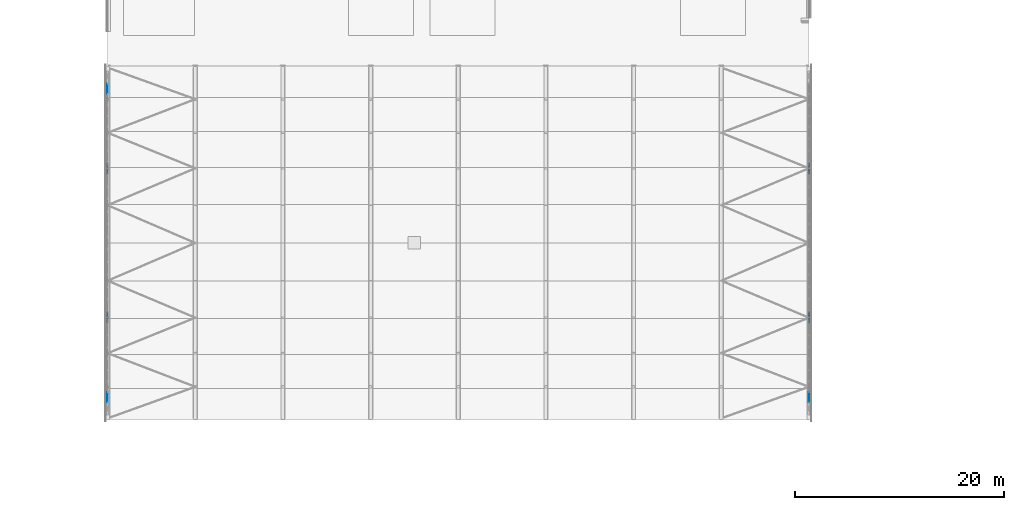
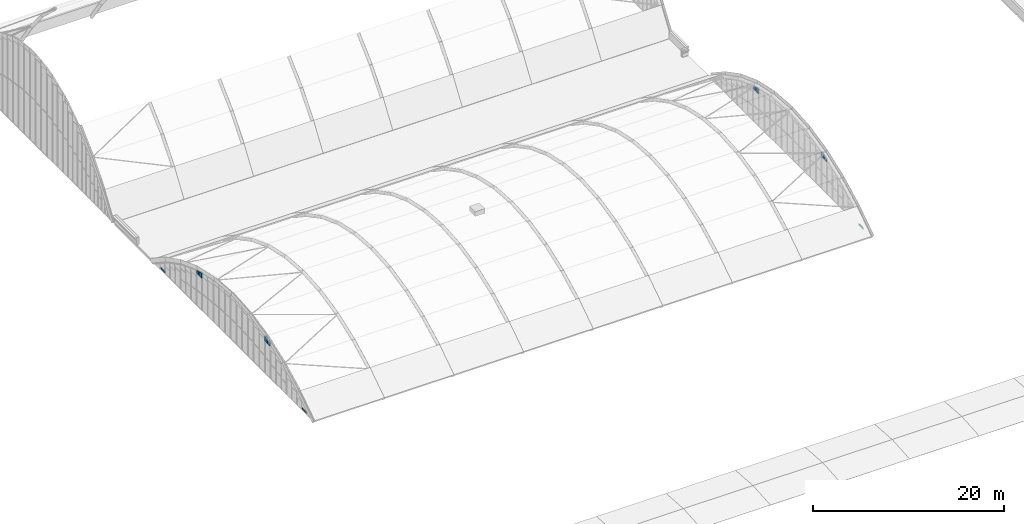
# One storey, part 62 of 77: 11 plates, 2 elements without a shape of their own.
"""IFC4 building model written with IfcOpenShell, lengths in metres."""

import ifcopenshell
import ifcopenshell.guid

model = None  # the IFC model being written
_history = None  # IfcOwnerHistory: only IFC2X3 demands one
_inside = {}  # id of a spatial element -> (the spatial element, [elements in it])
_under = {}  # id of a project, library or spatial element -> (it, [spatial elements below it])
_declared = {}  # id of a project -> (the project, [libraries it declares])
_typed = {}  # id of a type object -> (the type object, [elements of that type])
_made_of = {}  # id of a material, layer set ... -> (it, [elements and type objects made of it])


def new_model(schema):
    """Start an empty IFC model of exactly this schema.

    Asked for "IFC4X3", IfcOpenShell would pick the latest addendum, in which some entities
    have other attributes; the version numbers below select the first issue.
    IFC2X3 requires an IfcOwnerHistory on every rooted entity: one is made here for all.
    """
    global model, _history
    if schema == "IFC4X3":
        model = ifcopenshell.file(schema_version=(4, 3, 0, 0))
    else:
        model = ifcopenshell.file(schema=schema)
    _inside.clear()
    _under.clear()
    _declared.clear()
    _typed.clear()
    _made_of.clear()
    _history = None
    if model.schema == "IFC2X3":
        org = make("IfcOrganization", Name="unknown")
        user = make(
            "IfcPersonAndOrganization",
            ThePerson=make("IfcPerson", FamilyName="unknown"),
            TheOrganization=org,
        )
        app = make(
            "IfcApplication",
            ApplicationDeveloper=org,
            Version="unknown",
            ApplicationFullName="unknown",
            ApplicationIdentifier="unknown",
        )
        _history = make(
            "IfcOwnerHistory",
            OwningUser=user,
            OwningApplication=app,
            ChangeAction="ADDED",
            CreationDate=0,
        )
    return model


def make(cls, **values):
    """One entity of the class cls with the attributes given. An attribute that is None is left unset."""
    return model.create_entity(
        cls, **{name: value for name, value in values.items() if value is not None}
    )


def rooted(cls, **values):
    """An entity with a GlobalId (a new one), such as an element, a storey or a relation."""
    return make(cls, GlobalId=ifcopenshell.guid.new(), OwnerHistory=_history, **values)


def si_unit(unit_type, name, prefix=None):
    """IfcSIUnit, for example si_unit("LENGTHUNIT", "METRE", prefix="MILLI")."""
    return make("IfcSIUnit", UnitType=unit_type, Prefix=prefix, Name=name)


def assignment(units):
    """IfcUnitAssignment: the units of a project."""
    return None if units is None else make("IfcUnitAssignment", Units=units)


def point(xyz):
    """IfcCartesianPoint."""
    return None if xyz is None else make("IfcCartesianPoint", Coordinates=xyz)


def direction(xyz):
    """IfcDirection."""
    return None if xyz is None else make("IfcDirection", DirectionRatios=xyz)


def frame(location, z_axis=None, x_axis=None):
    """IfcAxis2Placement3D, a coordinate frame: its origin and axes. An axis left out is left unset."""
    return make(
        "IfcAxis2Placement3D",
        Location=point(location),
        Axis=direction(z_axis),
        RefDirection=direction(x_axis),
    )


def frame_2d(location, x_axis=None):
    """IfcAxis2Placement2D, a coordinate frame in the plane: its origin and x axis."""
    return make(
        "IfcAxis2Placement2D", Location=point(location), RefDirection=direction(x_axis)
    )


def origin():
    """The frame at (0, 0, 0) with its axes left unset."""
    return frame((0.0, 0.0, 0.0))


def origin_2d():
    """The frame at (0, 0) in the plane with its x axis left unset."""
    return frame_2d((0.0, 0.0))


def place(relative_to, where):
    """IfcLocalPlacement: puts the frame where relative to a parent placement (None: the world)."""
    return make(
        "IfcLocalPlacement", PlacementRelTo=relative_to, RelativePlacement=where
    )


def context(
    kind, dimensions, precision=None, world=None, true_north=None, identifier=None
):
    """IfcGeometricRepresentationContext, for example the 3D "Model" context."""
    return make(
        "IfcGeometricRepresentationContext",
        ContextIdentifier=identifier,
        ContextType=kind,
        CoordinateSpaceDimension=dimensions,
        Precision=precision,
        WorldCoordinateSystem=world,
        TrueNorth=true_north,
    )


def subcontext(parent, identifier, kind, view, scale=None):
    """IfcGeometricRepresentationSubContext, for example "Body" below "Model"."""
    return make(
        "IfcGeometricRepresentationSubContext",
        ContextIdentifier=identifier,
        ContextType=kind,
        ParentContext=parent,
        TargetScale=scale,
        TargetView=view,
    )


def project(units=None, contexts=None):
    """IfcProject with its units and contexts."""
    return rooted(
        "IfcProject",
        Name="project",
        RepresentationContexts=contexts,
        UnitsInContext=assignment(units),
    )


def spatial(cls, under=None, at=None, **own):
    """A site, building, storey or space (cls), placed at a placement, below another one or the project."""
    s = rooted(cls, ObjectPlacement=at, **own)
    if under is not None:
        _under.setdefault(under.id(), (under, []))[1].append(s)
    return s


def polyline(points):
    """IfcPolyline through the points."""
    return make("IfcPolyline", Points=[point(p) for p in points])


def profile(cls, at=None, kind="AREA", **sizes):
    """A parametric profile (cls). Its sizes go by their IFC names, for example OverallWidth=200.0."""
    return make(cls, ProfileType=kind, Position=at, **sizes)


def rectangle(**sizes):
    """IfcRectangleProfileDef."""
    return profile("IfcRectangleProfileDef", **sizes)


def outline(outer, holes=None, kind="AREA"):
    """IfcArbitraryClosedProfileDef: a profile drawn as a closed curve; with holes, ...WithVoids."""
    if holes is None:
        return make("IfcArbitraryClosedProfileDef", ProfileType=kind, OuterCurve=outer)
    return make(
        "IfcArbitraryProfileDefWithVoids",
        ProfileType=kind,
        OuterCurve=outer,
        InnerCurves=holes,
    )


def extrude(swept, where, along, depth):
    """IfcExtrudedAreaSolid: the profile swept, set in the frame where, extruded along a direction by depth."""
    return make(
        "IfcExtrudedAreaSolid",
        SweptArea=swept,
        Position=where,
        ExtrudedDirection=direction(along),
        Depth=depth,
    )


def shape(context_of_items, identifier, shape_type, items):
    """IfcShapeRepresentation: the items that make up one representation, for example the "Body"."""
    return make(
        "IfcShapeRepresentation",
        ContextOfItems=context_of_items,
        RepresentationIdentifier=identifier,
        RepresentationType=shape_type,
        Items=items,
    )


def material(Name=None, Category=None):
    """IfcMaterial."""
    return make("IfcMaterial", Name=Name, Category=Category)


def layer(
    of_material, thickness, ventilated=None, Name=None, Category=None, Priority=None
):
    """IfcMaterialLayer: one layer of a wall or slab, of a material (None: an air gap)."""
    return make(
        "IfcMaterialLayer",
        Material=of_material,
        LayerThickness=thickness,
        IsVentilated=ventilated,
        Name=Name,
        Category=Category,
        Priority=Priority,
    )


def layer_set(layers, Name=None):
    """IfcMaterialLayerSet."""
    return make("IfcMaterialLayerSet", MaterialLayers=layers, LayerSetName=Name)


def made_of(thing, what):
    """Note that an element or type object is made of a material, layer set ...; save() writes the relation."""
    if what is not None:
        _made_of.setdefault(what.id(), (what, []))[1].append(thing)
    return thing


def type_object(cls, material=None, **own):
    """A type object (cls), such as IfcWallType, which elements share."""
    return made_of(rooted(cls, **own), material)


def element(
    cls,
    number,
    at=None,
    inside=None,
    cuts=None,
    type_object=None,
    material=None,
    context=None,
    identifier="Body",
    shape_type=None,
    held_by="IfcProductDefinitionShape",
    body=None,
    shapes=None,
    **own,
):
    """One element of the class cls, such as IfcWall. Its Tag is "e" and its number.

    at: its placement. inside: the storey or other place that contains it. cuts: it is an
    opening in that element (IfcRelVoidsElement). A single representation is given by context,
    identifier, shape_type and body (its items); several are given by shapes. held_by: the class
    of the entity that holds the representations. save() writes the other relations.
    """
    e = rooted(cls, Tag="e%d" % number, ObjectPlacement=at, **own)
    if body is not None:
        shapes = [shape(context, identifier, shape_type, body)]
    if shapes is not None:
        e.Representation = make(held_by, Representations=shapes)
    if inside is not None:
        _inside.setdefault(inside.id(), (inside, []))[1].append(e)
    if cuts is not None:
        rooted(
            "IfcRelVoidsElement", RelatingBuildingElement=cuts, RelatedOpeningElement=e
        )
    if type_object is not None:
        _typed.setdefault(type_object.id(), (type_object, []))[1].append(e)
    return made_of(e, material)


def aggregate(whole, parts):
    """IfcRelAggregates: a whole, such as a stair, and the parts it consists of."""
    return rooted("IfcRelAggregates", RelatingObject=whole, RelatedObjects=parts)


def save(model, path):
    """Write the relations noted so far, then the file.

    IfcRelAggregates (storeys below a building ...), IfcRelContainedInSpatialStructure (elements
    in a storey), IfcRelDefinesByType, IfcRelAssociatesMaterial and IfcRelDeclares: one each for
    every whole, place, type object, material and project.
    """
    for whole, parts in _under.values():
        aggregate(whole, parts)
    for where, things in _inside.values():
        rooted(
            "IfcRelContainedInSpatialStructure",
            RelatedElements=things,
            RelatingStructure=where,
        )
    for kind, things in _typed.values():
        rooted("IfcRelDefinesByType", RelatedObjects=things, RelatingType=kind)
    for what, things in _made_of.values():
        rooted("IfcRelAssociatesMaterial", RelatedObjects=things, RelatingMaterial=what)
    for by, libraries in _declared.values():
        rooted("IfcRelDeclares", RelatingContext=by, RelatedDefinitions=libraries)
    model.write(path)


model = new_model("IFC4")

# Units and contexts
model_context = context("Model", 3, precision=1e-05, world=origin(), true_north=direction((0.0, 1.0)))
body_context = subcontext(model_context, "Body", "Model", "MODEL_VIEW")
ifc_project = project(units=[si_unit("LENGTHUNIT", "METRE"), si_unit("AREAUNIT", "SQUARE_METRE"), si_unit("VOLUMEUNIT", "CUBIC_METRE"), si_unit("PLANEANGLEUNIT", "RADIAN"), si_unit("MASSUNIT", "GRAM", prefix="KILO")], contexts=[model_context])

# Site, building, storey
site_placement = place(None, origin())
site = spatial("IfcSite", under=ifc_project, at=site_placement, CompositionType="ELEMENT")
building_placement = place(site_placement, origin())
building = spatial("IfcBuilding", under=site, at=building_placement, Name="Catenary Quay Ferry Terminal", CompositionType="ELEMENT")
storey_placement = place(building_placement, frame((0.0, 0.0, 10.800048828125)))
storey = spatial("IfcBuildingStorey", under=building, at=storey_placement, Name="L02", CompositionType="ELEMENT", Elevation=10.800048828125)

# Curtain wall, plates
ifc_material_1 = material(Name="Aluminium and glass", Category="aluminium")
curtain_wall_type = type_object("IfcCurtainWallType", Name="CWA", PredefinedType="NOTDEFINED", material=ifc_material_1)
curtain_wall_1_placement = place(storey_placement, origin())
curtain_wall_1 = element("IfcCurtainWall", 1, at=curtain_wall_1_placement, inside=storey, type_object=curtain_wall_type, Name="Arch arrivals hall curtain wall CW5", PredefinedType="NOTDEFINED")
ifc_material_2 = material(Name="Glass", Category="glass")
ifc_layer_1 = layer(ifc_material_2, 0.035888671875)
ifc_layer_set_1 = layer_set([ifc_layer_1], Name="PN4")
plate_type_1 = type_object("IfcPlateType", Name="PN4", PredefinedType="CURTAIN_PANEL", material=ifc_layer_set_1)
plate_1_placement = place(storey_placement, frame((25.199951171875, 69.2119140625, 0.099853515625), z_axis=(0.0, 0.0, 1.0), x_axis=(0.0, 1.0, 0.0)))
plate_1 = element("IfcPlate", 2, at=plate_1_placement, type_object=plate_type_1, Name="CW5 panel 1.1", PredefinedType="CURTAIN_PANEL", context=body_context, shape_type="SweptSolid", body=[
    extrude(rectangle(XDim=0.946044921875, YDim=0.035888671875, at=origin_2d()), origin(), (0.0, 0.0, 1.0), 0.24658203125),
])
plate_2_placement = place(storey_placement, frame((25.199951171875, 98.7880859375, 0.099853515625), z_axis=(0.0, 0.0, 1.0), x_axis=(0.0, 1.0, 0.0)))
plate_2 = element("IfcPlate", 3, at=plate_2_placement, type_object=plate_type_1, Name="CW5 panel 27.1", PredefinedType="CURTAIN_PANEL", context=body_context, shape_type="SweptSolid", body=[
    extrude(rectangle(XDim=0.946044921875, YDim=0.035888671875, at=origin_2d()), origin(), (0.0, 0.0, 1.0), 0.24658203125),
])

# Curtain wall, plate
curtain_wall_2_placement = place(storey_placement, origin())
curtain_wall_2 = element("IfcCurtainWall", 4, at=curtain_wall_2_placement, inside=storey, type_object=curtain_wall_type, Name="Arch arrivals hall curtain wall CW12", PredefinedType="NOTDEFINED")
plate_3_placement = place(storey_placement, frame((92.39990234375, 69.2119140625, 0.099853515625), z_axis=(0.0, 0.0, 1.0), x_axis=(0.0, 1.0, 0.0)))
plate_3 = element("IfcPlate", 5, at=plate_3_placement, type_object=plate_type_1, Name="CW12 panel 1.1", PredefinedType="CURTAIN_PANEL", context=body_context, shape_type="SweptSolid", body=[
    extrude(rectangle(XDim=0.946044921875, YDim=0.035888671875, at=origin_2d()), origin(), (0.0, 0.0, 1.0), 0.24658203125),
])

# Plate
ifc_material_3 = material(Name="Ceramic tile facing on insulated backing")
ifc_layer_2 = layer(ifc_material_3, 0.14990234375)
ifc_layer_set_2 = layer_set([ifc_layer_2], Name="PN7")
plate_type_2 = type_object("IfcPlateType", Name="PN7", PredefinedType="CURTAIN_PANEL", material=ifc_layer_set_2)
plate_4_placement = place(storey_placement, frame((25.199951171875, 76.302978515625, 4.1748046875), z_axis=(0.0, 0.0, 1.0), x_axis=(0.0, 1.0, 0.0)))
plate_4 = element("IfcPlate", 6, at=plate_4_placement, type_object=plate_type_2, Name="CW5 spandrel panel 9", PredefinedType="CURTAIN_PANEL", context=body_context, shape_type="SweptSolid", body=[
    extrude(outline(polyline([(0.0, 0.0), (0.4619140625, 0.0), (0.4619140625, 0.5224609375), (0.0, 0.35107421875), (0.0, 0.0)])), frame((0.0, 0.074951171875, 0.0), z_axis=(0.0, -1.0, 0.0), x_axis=(1.0, 0.0, 0.0)), (0.0, 0.0, 1.0), 0.14990234375),
])

plate_5_placement = place(storey_placement, frame((25.199951171875, 76.9150390625, 4.1748046875), z_axis=(0.0, 0.0, 1.0), x_axis=(0.0, 1.0, 0.0)))
plate_5 = element("IfcPlate", 7, at=plate_5_placement, type_object=plate_type_2, Name="CW5 spandrel panel 10", PredefinedType="CURTAIN_PANEL", context=body_context, shape_type="SweptSolid", body=[
    extrude(outline(polyline([(0.0, 0.0), (0.4853515625, 0.0), (0.4853515625, 0.674560546875), (0.0, 0.56689453125), (0.0, 0.0)])), frame((0.0, 0.074951171875, 0.0), z_axis=(0.0, -1.0, 0.0), x_axis=(1.0, 0.0, 0.0)), (0.0, 0.0, 1.0), 0.14990234375),
])

plate_6_placement = place(storey_placement, frame((25.199951171875, 90.599609375, 4.1748046875), z_axis=(0.0, 0.0, 1.0), x_axis=(0.0, 1.0, 0.0)))
plate_6 = element("IfcPlate", 8, at=plate_6_placement, type_object=plate_type_2, Name="CW5 spandrel panel 22", PredefinedType="CURTAIN_PANEL", context=body_context, shape_type="SweptSolid", body=[
    extrude(outline(polyline([(0.0, 0.0), (0.4853515625, 0.0), (0.4853515625, 0.56689453125), (0.0, 0.674560546875), (0.0, 0.0)])), frame((0.0, 0.074951171875, 0.0), z_axis=(0.0, -1.0, 0.0), x_axis=(1.0, 0.0, 0.0)), (0.0, 0.0, 1.0), 0.14990234375),
])

plate_7_placement = place(storey_placement, frame((25.199951171875, 91.235107421875, 4.1748046875), z_axis=(0.0, 0.0, 1.0), x_axis=(0.0, 1.0, 0.0)))
plate_7 = element("IfcPlate", 9, at=plate_7_placement, type_object=plate_type_2, Name="CW5 spandrel panel 23", PredefinedType="CURTAIN_PANEL", context=body_context, shape_type="SweptSolid", body=[
    extrude(outline(polyline([(0.0, 0.0), (0.4619140625, 0.0), (0.4619140625, 0.35107421875), (0.0, 0.5224609375), (0.0, 0.0)])), frame((0.0, 0.074951171875, 0.0), z_axis=(0.0, -1.0, 0.0), x_axis=(1.0, 0.0, 0.0)), (0.0, 0.0, 1.0), 0.14990234375),
])

aggregate(curtain_wall_1, [plate_1, plate_4, plate_5, plate_6, plate_7, plate_2])

plate_8_placement = place(storey_placement, frame((92.39990234375, 76.302978515625, 4.1748046875), z_axis=(0.0, 0.0, 1.0), x_axis=(0.0, 1.0, 0.0)))
plate_8 = element("IfcPlate", 10, at=plate_8_placement, type_object=plate_type_2, Name="CW12 spandrel panel 9", PredefinedType="CURTAIN_PANEL", context=body_context, shape_type="SweptSolid", body=[
    extrude(outline(polyline([(0.0, 0.0), (0.4619140625, 0.0), (0.4619140625, 0.5224609375), (0.0, 0.35107421875), (0.0, 0.0)])), frame((0.0, 0.074951171875, 0.0), z_axis=(0.0, -1.0, 0.0), x_axis=(1.0, 0.0, 0.0)), (0.0, 0.0, 1.0), 0.14990234375),
])

plate_9_placement = place(storey_placement, frame((92.39990234375, 76.9150390625, 4.1748046875), z_axis=(0.0, 0.0, 1.0), x_axis=(0.0, 1.0, 0.0)))
plate_9 = element("IfcPlate", 11, at=plate_9_placement, type_object=plate_type_2, Name="CW12 spandrel panel 10", PredefinedType="CURTAIN_PANEL", context=body_context, shape_type="SweptSolid", body=[
    extrude(outline(polyline([(0.0, 0.0), (0.4853515625, 0.0), (0.4853515625, 0.674560546875), (0.0, 0.56689453125), (0.0, 0.0)])), frame((0.0, 0.074951171875, 0.0), z_axis=(0.0, -1.0, 0.0), x_axis=(1.0, 0.0, 0.0)), (0.0, 0.0, 1.0), 0.14990234375),
])

plate_10_placement = place(storey_placement, frame((92.39990234375, 90.599609375, 4.1748046875), z_axis=(0.0, 0.0, 1.0), x_axis=(0.0, 1.0, 0.0)))
plate_10 = element("IfcPlate", 12, at=plate_10_placement, type_object=plate_type_2, Name="CW12 spandrel panel 22", PredefinedType="CURTAIN_PANEL", context=body_context, shape_type="SweptSolid", body=[
    extrude(outline(polyline([(0.0, 0.0), (0.4853515625, 0.0), (0.4853515625, 0.56689453125), (0.0, 0.674560546875), (0.0, 0.0)])), frame((0.0, 0.074951171875, 0.0), z_axis=(0.0, -1.0, 0.0), x_axis=(1.0, 0.0, 0.0)), (0.0, 0.0, 1.0), 0.14990234375),
])

plate_11_placement = place(storey_placement, frame((92.39990234375, 91.235107421875, 4.1748046875), z_axis=(0.0, 0.0, 1.0), x_axis=(0.0, 1.0, 0.0)))
plate_11 = element("IfcPlate", 13, at=plate_11_placement, type_object=plate_type_2, Name="CW12 spandrel panel 23", PredefinedType="CURTAIN_PANEL", context=body_context, shape_type="SweptSolid", body=[
    extrude(outline(polyline([(0.0, 0.0), (0.4619140625, 0.0), (0.4619140625, 0.35107421875), (0.0, 0.5224609375), (0.0, 0.0)])), frame((0.0, 0.074951171875, 0.0), z_axis=(0.0, -1.0, 0.0), x_axis=(1.0, 0.0, 0.0)), (0.0, 0.0, 1.0), 0.14990234375),
])

aggregate(curtain_wall_2, [plate_3, plate_8, plate_9, plate_10, plate_11])

save(model, "model.ifc")
